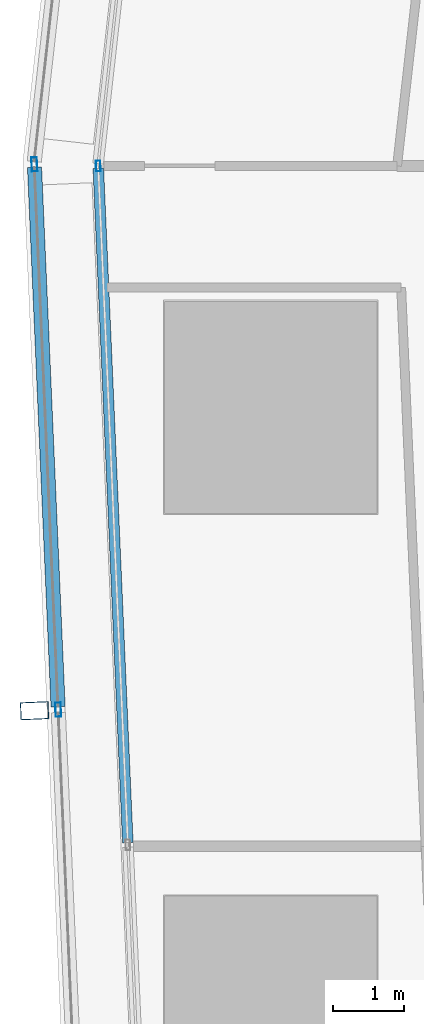
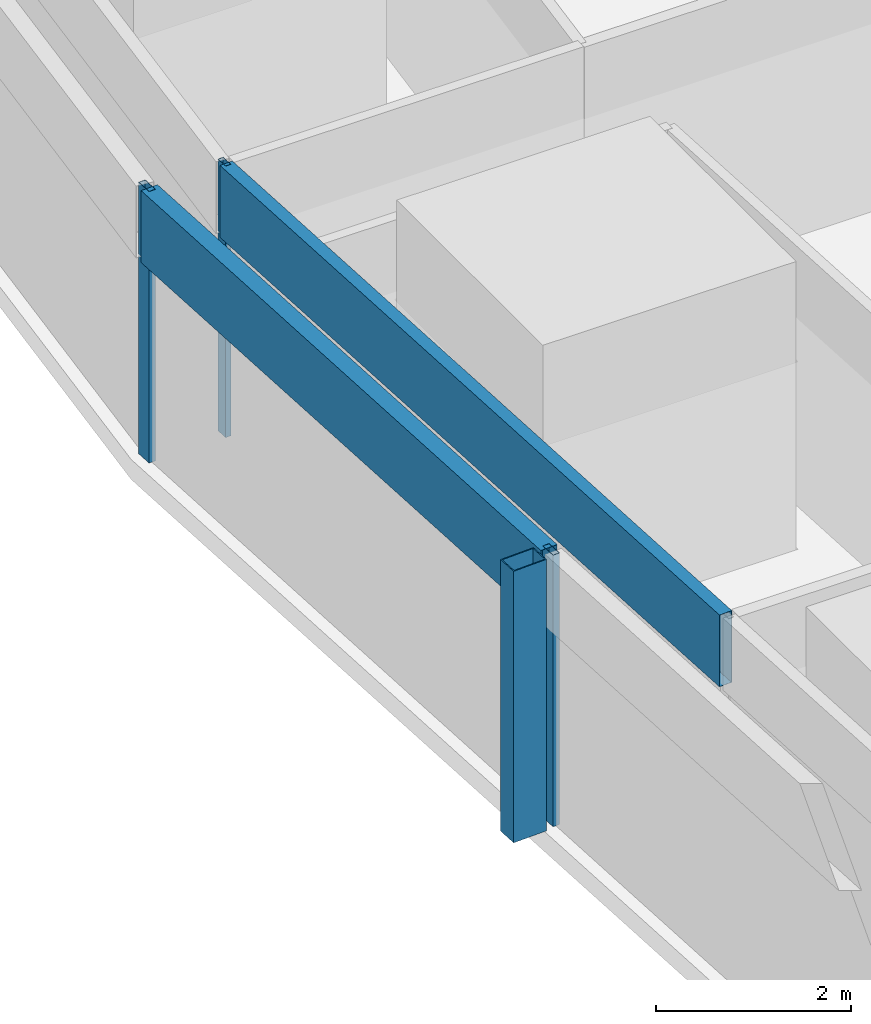
# One storey, part 14 of 44: 6 members, 2 elements without a shape of their own.
"""IFC4 building model written with IfcOpenShell, lengths in metres."""

import ifcopenshell
import ifcopenshell.guid

model = None  # the IFC model being written
_history = None  # IfcOwnerHistory: only IFC2X3 demands one
_inside = {}  # id of a spatial element -> (the spatial element, [elements in it])
_under = {}  # id of a project, library or spatial element -> (it, [spatial elements below it])
_declared = {}  # id of a project -> (the project, [libraries it declares])
_typed = {}  # id of a type object -> (the type object, [elements of that type])
_made_of = {}  # id of a material, layer set ... -> (it, [elements and type objects made of it])


def new_model(schema):
    """Start an empty IFC model of exactly this schema.

    Asked for "IFC4X3", IfcOpenShell would pick the latest addendum, in which some entities
    have other attributes; the version numbers below select the first issue.
    IFC2X3 requires an IfcOwnerHistory on every rooted entity: one is made here for all.
    """
    global model, _history
    if schema == "IFC4X3":
        model = ifcopenshell.file(schema_version=(4, 3, 0, 0))
    else:
        model = ifcopenshell.file(schema=schema)
    _inside.clear()
    _under.clear()
    _declared.clear()
    _typed.clear()
    _made_of.clear()
    _history = None
    if model.schema == "IFC2X3":
        org = make("IfcOrganization", Name="unknown")
        user = make(
            "IfcPersonAndOrganization",
            ThePerson=make("IfcPerson", FamilyName="unknown"),
            TheOrganization=org,
        )
        app = make(
            "IfcApplication",
            ApplicationDeveloper=org,
            Version="unknown",
            ApplicationFullName="unknown",
            ApplicationIdentifier="unknown",
        )
        _history = make(
            "IfcOwnerHistory",
            OwningUser=user,
            OwningApplication=app,
            ChangeAction="ADDED",
            CreationDate=0,
        )
    return model


def make(cls, **values):
    """One entity of the class cls with the attributes given. An attribute that is None is left unset."""
    return model.create_entity(
        cls, **{name: value for name, value in values.items() if value is not None}
    )


def rooted(cls, **values):
    """An entity with a GlobalId (a new one), such as an element, a storey or a relation."""
    return make(cls, GlobalId=ifcopenshell.guid.new(), OwnerHistory=_history, **values)


def si_unit(unit_type, name, prefix=None):
    """IfcSIUnit, for example si_unit("LENGTHUNIT", "METRE", prefix="MILLI")."""
    return make("IfcSIUnit", UnitType=unit_type, Prefix=prefix, Name=name)


def assignment(units):
    """IfcUnitAssignment: the units of a project."""
    return None if units is None else make("IfcUnitAssignment", Units=units)


def point(xyz):
    """IfcCartesianPoint."""
    return None if xyz is None else make("IfcCartesianPoint", Coordinates=xyz)


def direction(xyz):
    """IfcDirection."""
    return None if xyz is None else make("IfcDirection", DirectionRatios=xyz)


def frame(location, z_axis=None, x_axis=None):
    """IfcAxis2Placement3D, a coordinate frame: its origin and axes. An axis left out is left unset."""
    return make(
        "IfcAxis2Placement3D",
        Location=point(location),
        Axis=direction(z_axis),
        RefDirection=direction(x_axis),
    )


def frame_2d(location, x_axis=None):
    """IfcAxis2Placement2D, a coordinate frame in the plane: its origin and x axis."""
    return make(
        "IfcAxis2Placement2D", Location=point(location), RefDirection=direction(x_axis)
    )


def origin():
    """The frame at (0, 0, 0) with its axes left unset."""
    return frame((0.0, 0.0, 0.0))


def origin_2d():
    """The frame at (0, 0) in the plane with its x axis left unset."""
    return frame_2d((0.0, 0.0))


def place(relative_to, where):
    """IfcLocalPlacement: puts the frame where relative to a parent placement (None: the world)."""
    return make(
        "IfcLocalPlacement", PlacementRelTo=relative_to, RelativePlacement=where
    )


def context(
    kind, dimensions, precision=None, world=None, true_north=None, identifier=None
):
    """IfcGeometricRepresentationContext, for example the 3D "Model" context."""
    return make(
        "IfcGeometricRepresentationContext",
        ContextIdentifier=identifier,
        ContextType=kind,
        CoordinateSpaceDimension=dimensions,
        Precision=precision,
        WorldCoordinateSystem=world,
        TrueNorth=true_north,
    )


def subcontext(parent, identifier, kind, view, scale=None):
    """IfcGeometricRepresentationSubContext, for example "Body" below "Model"."""
    return make(
        "IfcGeometricRepresentationSubContext",
        ContextIdentifier=identifier,
        ContextType=kind,
        ParentContext=parent,
        TargetScale=scale,
        TargetView=view,
    )


def project(units=None, contexts=None):
    """IfcProject with its units and contexts."""
    return rooted(
        "IfcProject",
        Name="project",
        RepresentationContexts=contexts,
        UnitsInContext=assignment(units),
    )


def spatial(cls, under=None, at=None, **own):
    """A site, building, storey or space (cls), placed at a placement, below another one or the project."""
    s = rooted(cls, ObjectPlacement=at, **own)
    if under is not None:
        _under.setdefault(under.id(), (under, []))[1].append(s)
    return s


def profile(cls, at=None, kind="AREA", **sizes):
    """A parametric profile (cls). Its sizes go by their IFC names, for example OverallWidth=200.0."""
    return make(cls, ProfileType=kind, Position=at, **sizes)


def hollow_rectangle(**sizes):
    """IfcRectangleHollowProfileDef."""
    return profile("IfcRectangleHollowProfileDef", **sizes)


def extrude(swept, where, along, depth):
    """IfcExtrudedAreaSolid: the profile swept, set in the frame where, extruded along a direction by depth."""
    return make(
        "IfcExtrudedAreaSolid",
        SweptArea=swept,
        Position=where,
        ExtrudedDirection=direction(along),
        Depth=depth,
    )


def shape(context_of_items, identifier, shape_type, items):
    """IfcShapeRepresentation: the items that make up one representation, for example the "Body"."""
    return make(
        "IfcShapeRepresentation",
        ContextOfItems=context_of_items,
        RepresentationIdentifier=identifier,
        RepresentationType=shape_type,
        Items=items,
    )


def material(Name=None, Category=None):
    """IfcMaterial."""
    return make("IfcMaterial", Name=Name, Category=Category)


def material_profile(
    of_material, cross_section, Name=None, Category=None, Priority=None
):
    """IfcMaterialProfile: a cross section and its material."""
    return make(
        "IfcMaterialProfile",
        Name=Name,
        Material=of_material,
        Profile=cross_section,
        Priority=Priority,
        Category=Category,
    )


def profile_set(profiles, Name=None, composite=None):
    """IfcMaterialProfileSet."""
    return make(
        "IfcMaterialProfileSet",
        Name=Name,
        MaterialProfiles=profiles,
        CompositeProfile=composite,
    )


def made_of(thing, what):
    """Note that an element or type object is made of a material, layer set ...; save() writes the relation."""
    if what is not None:
        _made_of.setdefault(what.id(), (what, []))[1].append(thing)
    return thing


def type_object(cls, material=None, **own):
    """A type object (cls), such as IfcWallType, which elements share."""
    return made_of(rooted(cls, **own), material)


def element(
    cls,
    number,
    at=None,
    inside=None,
    cuts=None,
    type_object=None,
    material=None,
    context=None,
    identifier="Body",
    shape_type=None,
    held_by="IfcProductDefinitionShape",
    body=None,
    shapes=None,
    **own,
):
    """One element of the class cls, such as IfcWall. Its Tag is "e" and its number.

    at: its placement. inside: the storey or other place that contains it. cuts: it is an
    opening in that element (IfcRelVoidsElement). A single representation is given by context,
    identifier, shape_type and body (its items); several are given by shapes. held_by: the class
    of the entity that holds the representations. save() writes the other relations.
    """
    e = rooted(cls, Tag="e%d" % number, ObjectPlacement=at, **own)
    if body is not None:
        shapes = [shape(context, identifier, shape_type, body)]
    if shapes is not None:
        e.Representation = make(held_by, Representations=shapes)
    if inside is not None:
        _inside.setdefault(inside.id(), (inside, []))[1].append(e)
    if cuts is not None:
        rooted(
            "IfcRelVoidsElement", RelatingBuildingElement=cuts, RelatedOpeningElement=e
        )
    if type_object is not None:
        _typed.setdefault(type_object.id(), (type_object, []))[1].append(e)
    return made_of(e, material)


def aggregate(whole, parts):
    """IfcRelAggregates: a whole, such as a stair, and the parts it consists of."""
    return rooted("IfcRelAggregates", RelatingObject=whole, RelatedObjects=parts)


def save(model, path):
    """Write the relations noted so far, then the file.

    IfcRelAggregates (storeys below a building ...), IfcRelContainedInSpatialStructure (elements
    in a storey), IfcRelDefinesByType, IfcRelAssociatesMaterial and IfcRelDeclares: one each for
    every whole, place, type object, material and project.
    """
    for whole, parts in _under.values():
        aggregate(whole, parts)
    for where, things in _inside.values():
        rooted(
            "IfcRelContainedInSpatialStructure",
            RelatedElements=things,
            RelatingStructure=where,
        )
    for kind, things in _typed.values():
        rooted("IfcRelDefinesByType", RelatedObjects=things, RelatingType=kind)
    for what, things in _made_of.values():
        rooted("IfcRelAssociatesMaterial", RelatedObjects=things, RelatingMaterial=what)
    for by, libraries in _declared.values():
        rooted("IfcRelDeclares", RelatingContext=by, RelatedDefinitions=libraries)
    model.write(path)


model = new_model("IFC4")

# Units and contexts
model_context = context("Model", 3, precision=1e-05, world=origin(), true_north=direction((0.0, 1.0)))
body_context = subcontext(model_context, "Body", "Model", "MODEL_VIEW")
ifc_project = project(units=[si_unit("LENGTHUNIT", "METRE"), si_unit("AREAUNIT", "SQUARE_METRE"), si_unit("VOLUMEUNIT", "CUBIC_METRE"), si_unit("PLANEANGLEUNIT", "RADIAN"), si_unit("MASSUNIT", "GRAM", prefix="KILO")], contexts=[model_context])

# Site, building, storey
site_placement = place(None, origin())
site = spatial("IfcSite", under=ifc_project, at=site_placement, CompositionType="ELEMENT")
building_placement = place(site_placement, origin())
building = spatial("IfcBuilding", under=site, at=building_placement, Name="Rekha Terrace Tower", CompositionType="ELEMENT")
storey_placement = place(building_placement, frame((0.0, 0.0, 81.64990234375)))
storey = spatial("IfcBuildingStorey", under=building, at=storey_placement, Name="L20", CompositionType="ELEMENT", Elevation=81.64990234375)

# Curtain wall, member
ifc_material_1 = material(Name="Aluminium framing", Category="aluminium")
curtain_wall_type_1 = type_object("IfcCurtainWallType", Name="CW2 double skin outer glazing", PredefinedType="USERDEFINED", material=ifc_material_1)
curtain_wall_1_placement = place(storey_placement, origin())
curtain_wall_1 = element("IfcCurtainWall", 1, at=curtain_wall_1_placement, inside=storey, type_object=curtain_wall_type_1, Name="CW2 double skin outer glazing", ObjectType="DOUBLE SKIN OUTER GLAZING", PredefinedType="USERDEFINED")
ifc_material_2 = material(Name="Steel S355 with fluorocarbon finish", Category="steel")
ifc_material_profile_1 = material_profile(ifc_material_2, hollow_rectangle(XDim=0.25, YDim=0.39990234375, WallThickness=0.012451171875, at=origin_2d()), Name="RHS400x250x12.5")
ifc_profile_set_1 = profile_set([ifc_material_profile_1], Name="Steel S355 with fluorocarbon finish")
member_type_1 = type_object("IfcMemberType", Name="BL1 facade blade RHS 400 x 250", PredefinedType="USERDEFINED", material=ifc_profile_set_1)
member_1_placement = place(storey_placement, frame((5.064208984375, 37.715576171875, 0.0), z_axis=(0.0, 0.0, 1.0), x_axis=(0.04368215933, -0.999045478923, 0.0)))
member_1 = element("IfcMember", 2, at=member_1_placement, type_object=member_type_1, Name="Facade blade", ObjectType="FACADE BLADE", PredefinedType="USERDEFINED", context=body_context, shape_type="SweptSolid", body=[
    extrude(hollow_rectangle(XDim=0.25, YDim=0.39990234375, WallThickness=0.012451171875, at=origin_2d()), origin(), (0.0, 0.0, 1.0), 3.400146484375),
])

# Curtain wall, members
curtain_wall_type_2 = type_object("IfcCurtainWallType", Name="CW1 double skin inner glazing", PredefinedType="USERDEFINED", material=ifc_material_1)
curtain_wall_2_placement = place(storey_placement, origin())
curtain_wall_2 = element("IfcCurtainWall", 3, at=curtain_wall_2_placement, inside=storey, type_object=curtain_wall_type_2, Name="CW1 double skin inner glazing", ObjectType="DOUBLE SKIN INNER GLAZING", PredefinedType="USERDEFINED")
ifc_material_3 = material(Name="Aluminium mullion section", Category="aluminium")
ifc_material_profile_2 = material_profile(ifc_material_3, hollow_rectangle(XDim=0.06494140625, YDim=0.14990234375, WallThickness=0.00390625, at=origin_2d()), Name="AL RHS 65x150")
ifc_profile_set_2 = profile_set([ifc_material_profile_2], Name="Aluminium mullion section")
member_type_2 = type_object("IfcMemberType", Name="CW1 mullion RHS 65 x 150", PredefinedType="MULLION", material=ifc_profile_set_2)
member_2_placement = place(storey_placement, frame((5.964111328125, 45.4111328125, 0.0), z_axis=(0.0, 0.0, 1.0), x_axis=(0.999045462133, 0.04368254332, 0.0)))
member_2 = element("IfcMember", 4, at=member_2_placement, type_object=member_type_2, Name="CW1 mullion 1", PredefinedType="MULLION", context=body_context, shape_type="SweptSolid", body=[
    extrude(hollow_rectangle(XDim=0.06494140625, YDim=0.14990234375, WallThickness=0.00390625, at=origin_2d()), origin(), (0.0, 0.0, 1.0), 3.400146484375),
])
ifc_material_4 = material(Name="Insulated aluminium spandrel box", Category="aluminium")
ifc_material_profile_3 = material_profile(ifc_material_4, hollow_rectangle(XDim=0.14990234375, YDim=0.89990234375, WallThickness=0.0029296875, at=origin_2d()), Name="AL SPANDREL BOX 150x900")
ifc_profile_set_3 = profile_set([ifc_material_profile_3], Name="Insulated aluminium spandrel box")
member_type_3 = type_object("IfcMemberType", Name="CW1 spandrel transom 150 x 900", PredefinedType="USERDEFINED", material=ifc_profile_set_3)
member_3_placement = place(storey_placement, frame((5.96533203125, 45.378662109375, 2.9501953125), z_axis=(0.043703877685, -0.999044529075, 0.0), x_axis=(0.999044529075, 0.043703877685, 0.0)))
member_3 = element("IfcMember", 5, at=member_3_placement, type_object=member_type_3, Name="CW1 spandrel transom 1", ObjectType="TRANSOM", PredefinedType="USERDEFINED", context=body_context, shape_type="SweptSolid", body=[
    extrude(hollow_rectangle(XDim=0.14990234375, YDim=0.89990234375, WallThickness=0.0029296875, at=origin_2d()), origin(), (0.0, 0.0, 1.0), 9.53564453125),
])
aggregate(curtain_wall_2, [member_2, member_3])

# Member
ifc_material_profile_4 = material_profile(ifc_material_3, hollow_rectangle(XDim=0.080078125, YDim=0.199951171875, WallThickness=0.00390625, at=origin_2d()), Name="AL RHS 80x200")
ifc_profile_set_4 = profile_set([ifc_material_profile_4], Name="Aluminium mullion section")
member_type_4 = type_object("IfcMemberType", Name="CW2 mullion RHS 80 x 200", PredefinedType="MULLION", material=ifc_profile_set_4)
member_4_placement = place(storey_placement, frame((5.062255859375, 45.4345703125, 0.0), z_axis=(0.0, 0.0, 1.0), x_axis=(0.999045462131, 0.043682543372, 0.0)))
member_4 = element("IfcMember", 6, at=member_4_placement, type_object=member_type_4, Name="CW2 mullion 1", PredefinedType="MULLION", context=body_context, shape_type="SweptSolid", body=[
    extrude(hollow_rectangle(XDim=0.080078125, YDim=0.199951171875, WallThickness=0.00390625, at=origin_2d()), origin(), (0.0, 0.0, 1.0), 3.400146484375),
])

member_5_placement = place(storey_placement, frame((5.39892578125, 37.730224609375, 0.0), z_axis=(0.0, 0.0, 1.0), x_axis=(0.999045462131, 0.043682543372, 0.0)))
member_5 = element("IfcMember", 7, at=member_5_placement, type_object=member_type_4, Name="CW2 mullion 2", PredefinedType="MULLION", context=body_context, shape_type="SweptSolid", body=[
    extrude(hollow_rectangle(XDim=0.080078125, YDim=0.199951171875, WallThickness=0.00390625, at=origin_2d()), origin(), (0.0, 0.0, 1.0), 3.400146484375),
])

ifc_material_profile_5 = material_profile(ifc_material_4, hollow_rectangle(XDim=0.199951171875, YDim=0.89990234375, WallThickness=0.0029296875, at=origin_2d()), Name="AL SPANDREL BOX 200x900")
ifc_profile_set_5 = profile_set([ifc_material_profile_5], Name="Insulated aluminium spandrel box")
member_type_5 = type_object("IfcMemberType", Name="CW2 spandrel transom 200 x 900", PredefinedType="USERDEFINED", material=ifc_profile_set_5)
member_6_placement = place(storey_placement, frame((5.06396484375, 45.39453125, 2.9501953125), z_axis=(0.043666283256, -0.99904617296, 0.0), x_axis=(0.99904617296, 0.043666283256, 0.0)))
member_6 = element("IfcMember", 8, at=member_6_placement, type_object=member_type_5, Name="CW2 spandrel transom 1", ObjectType="TRANSOM", PredefinedType="USERDEFINED", context=body_context, shape_type="SweptSolid", body=[
    extrude(hollow_rectangle(XDim=0.199951171875, YDim=0.89990234375, WallThickness=0.0029296875, at=origin_2d()), origin(), (0.0, 0.0, 1.0), 7.6318359375),
])

aggregate(curtain_wall_1, [member_4, member_5, member_6, member_1])

save(model, "model.ifc")
